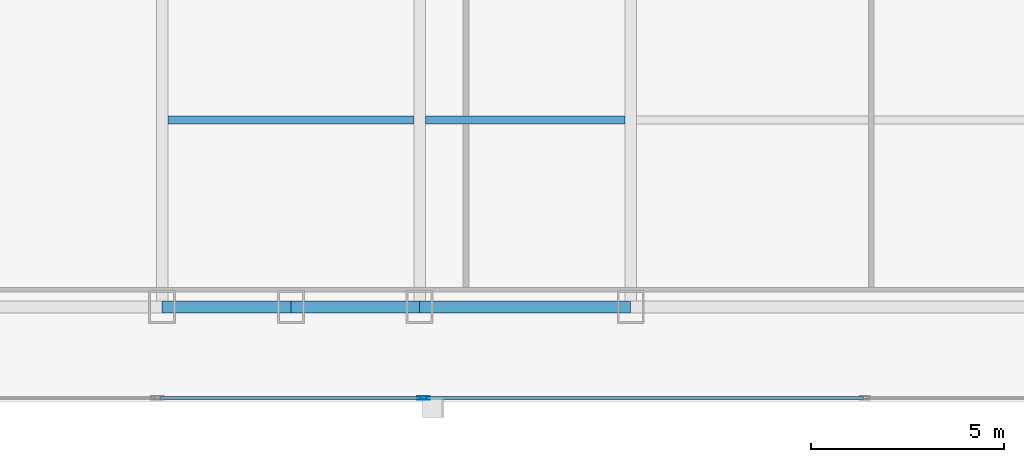
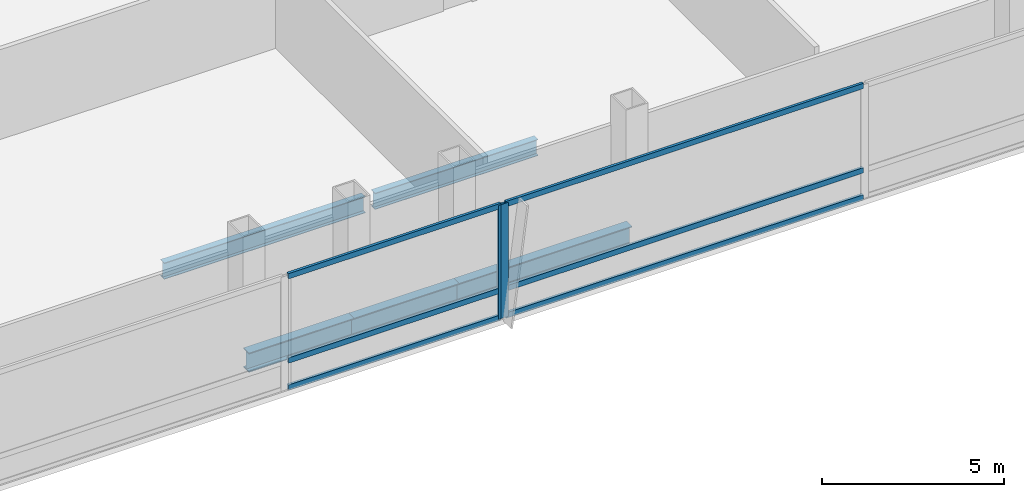
# One storey, part 8 of 30: 8 members, 5 beams, 2 elements without a shape of their own.
"""IFC4 building model written with IfcOpenShell, lengths in metres."""

from ifc_helpers import new_model, si_unit, direction, frame, origin, origin_2d, place, context, subcontext, project, spatial, hollow_rectangle, i_section, extrude, material, material_profile, profile_set, type_object, element, aggregate, save


model = new_model("IFC4")

# Units and contexts
model_context = context("Model", 3, precision=1e-05, world=origin(), true_north=direction((0.0, 1.0)))
body_context = subcontext(model_context, "Body", "Model", "MODEL_VIEW")
ifc_project = project(units=[si_unit("LENGTHUNIT", "METRE"), si_unit("AREAUNIT", "SQUARE_METRE"), si_unit("VOLUMEUNIT", "CUBIC_METRE"), si_unit("PLANEANGLEUNIT", "RADIAN"), si_unit("MASSUNIT", "GRAM", prefix="KILO")], contexts=[model_context])

# Site, building, storey
site_placement = place(None, origin())
site = spatial("IfcSite", under=ifc_project, at=site_placement, CompositionType="ELEMENT")
building_placement = place(site_placement, origin())
building = spatial("IfcBuilding", under=site, at=building_placement, Name="Khoronbel Lancet Exchange", CompositionType="ELEMENT")
storey_placement = place(building_placement, frame((0.0, 0.0, 98.60009765625)))
storey = spatial("IfcBuildingStorey", under=building, at=storey_placement, Name="L23", CompositionType="ELEMENT", Elevation=98.60009765625)

# Beams
ifc_material_1 = material(Name="Steel S355", Category="steel")
ifc_material_profile_1 = material_profile(ifc_material_1, i_section(OverallWidth=0.2099609375, OverallDepth=0.550048828125, WebThickness=0.010986328125, FlangeThickness=0.01708984375, at=origin_2d()), Name="IPE 550")
ifc_profile_set_1 = profile_set([ifc_material_profile_1], Name="Steel S355")
beam_type_1 = type_object("IfcBeamType", Name="BM-BJ2", PredefinedType="JOIST", material=ifc_profile_set_1)
beam_1_placement = place(storey_placement, frame((18.375, 15.0, -0.455078125), z_axis=(1.0, 0.0, 0.0), x_axis=(0.0, 1.0, 0.0)))
element("IfcBeam", 1, at=beam_1_placement, inside=storey, type_object=beam_type_1, Name="Level L23 secondary composite joist J01", PredefinedType="JOIST", context=body_context, shape_type="SweptSolid", body=[
    extrude(i_section(OverallWidth=0.2099609375, OverallDepth=0.550048828125, WebThickness=0.010986328125, FlangeThickness=0.01708984375, at=origin_2d()), origin(), (0.0, 0.0, 1.0), 6.375),
])
beam_2_placement = place(storey_placement, frame((25.050048828125, 15.0, -0.455078125), z_axis=(1.0, 0.0, 0.0), x_axis=(0.0, 1.0, 0.0)))
element("IfcBeam", 2, at=beam_2_placement, inside=storey, type_object=beam_type_1, Name="Level L23 secondary composite joist J02", PredefinedType="JOIST", context=body_context, shape_type="SweptSolid", body=[
    extrude(i_section(OverallWidth=0.2099609375, OverallDepth=0.550048828125, WebThickness=0.010986328125, FlangeThickness=0.01708984375, at=origin_2d()), origin(), (0.0, 0.0, 1.0), 5.175048828125),
])
ifc_material_profile_2 = material_profile(ifc_material_1, i_section(OverallWidth=0.300048828125, OverallDepth=0.64990234375, WebThickness=0.01611328125, FlangeThickness=0.031005859375, at=origin_2d()), Name="HEB 650")
ifc_profile_set_2 = profile_set([ifc_material_profile_2], Name="Steel S355")
beam_type_2 = type_object("IfcBeamType", Name="BM-BSP1", PredefinedType="SPANDREL", material=ifc_profile_set_2)
for number, where, z_axis, x_axis, name in (
    (3, (18.22509765625, 10.14990234375, -0.505126953125), (1.0, 0.0, 0.0), (0.0, 1.0, 0.0), "Level L23 perimeter spandrel beam SP02"),
    (4, (21.5625, 10.14990234375, -0.505126953125), (1.0, 0.0, 0.0), (0.0, 1.0, 0.0), "Level L23 perimeter spandrel beam SP03"),
):
    element("IfcBeam", number, at=place(storey_placement, frame(where, z_axis=z_axis, x_axis=x_axis)), inside=storey, type_object=beam_type_2, Name=name, PredefinedType="SPANDREL", context=body_context, shape_type="SweptSolid", body=[
        extrude(i_section(OverallWidth=0.300048828125, OverallDepth=0.64990234375, WebThickness=0.01611328125, FlangeThickness=0.031005859375, at=origin_2d()), origin(), (0.0, 0.0, 1.0), 3.33740234375),
    ])
beam_3_placement = place(storey_placement, frame((24.89990234375, 10.14990234375, -0.505126953125), z_axis=(1.0, 0.0, 0.0), x_axis=(0.0, 1.0, 0.0)))
element("IfcBeam", 5, at=beam_3_placement, inside=storey, type_object=beam_type_2, Name="Level L23 perimeter spandrel beam SP04", PredefinedType="SPANDREL", context=body_context, shape_type="SweptSolid", body=[
    extrude(i_section(OverallWidth=0.300048828125, OverallDepth=0.64990234375, WebThickness=0.01611328125, FlangeThickness=0.031005859375, at=origin_2d()), origin(), (0.0, 0.0, 1.0), 5.47509765625),
])

# Curtain wall, member
ifc_material_2 = material(Name="Low-E Solar Control Insulating Glass", Category="glass")
curtain_wall_type = type_object("IfcCurtainWallType", Name="CW-2", PredefinedType="NOTDEFINED", material=ifc_material_2)
curtain_wall_1_placement = place(storey_placement, origin())
curtain_wall_1 = element("IfcCurtainWall", 6, at=curtain_wall_1_placement, inside=storey, type_object=curtain_wall_type, Name="Unitised curtain wall CW-L23-SWB", PredefinedType="NOTDEFINED")
ifc_material_3 = material(Name="Bronze-Anodised Aluminium 6063-T6", Category="aluminium")
ifc_material_profile_3 = material_profile(ifc_material_3, hollow_rectangle(XDim=0.0849609375, YDim=0.239990234375, WallThickness=0.006103515625, at=origin_2d()), Name="ALU MULLION 85x240")
ifc_profile_set_3 = profile_set([ifc_material_profile_3], Name="Bronze-Anodised Aluminium 6063-T6")
member_type_1 = type_object("IfcMemberType", Name="MEM-CWM1", PredefinedType="MULLION", material=ifc_profile_set_3)
member_1_placement = place(storey_placement, frame((24.95751953125, 7.7900390625, 0.0), z_axis=(0.0, 0.0, 1.0), x_axis=(0.0, 1.0, 0.0)))
member_1 = element("IfcMember", 7, at=member_1_placement, type_object=member_type_1, Name="CW2 mullion 2", PredefinedType="MULLION", context=body_context, shape_type="SweptSolid", body=[
    extrude(hollow_rectangle(XDim=0.0849609375, YDim=0.239990234375, WallThickness=0.006103515625, at=origin_2d()), origin(), (0.0, 0.0, 1.0), 3.81982421875),
])

curtain_wall_2_placement = place(storey_placement, origin())
curtain_wall_2 = element("IfcCurtainWall", 8, at=curtain_wall_2_placement, inside=storey, type_object=curtain_wall_type, Name="Unitised curtain wall CW-L23-SCV", PredefinedType="NOTDEFINED")
member_2_placement = place(storey_placement, frame((25.04248046875, 7.7900390625, 0.0), z_axis=(0.0, 0.0, 1.0), x_axis=(0.0, 1.0, 0.0)))
member_2 = element("IfcMember", 9, at=member_2_placement, type_object=member_type_1, Name="CW2 mullion 1", PredefinedType="MULLION", context=body_context, shape_type="SweptSolid", body=[
    extrude(hollow_rectangle(XDim=0.0849609375, YDim=0.239990234375, WallThickness=0.006103515625, at=origin_2d()), origin(), (0.0, 0.0, 1.0), 3.81982421875),
])

# Member
ifc_material_profile_4 = material_profile(ifc_material_3, hollow_rectangle(XDim=0.0849609375, YDim=0.179931640625, WallThickness=0.0048828125, at=origin_2d()), Name="ALU TRANSOM 85x180")
ifc_profile_set_4 = profile_set([ifc_material_profile_4], Name="Bronze-Anodised Aluminium 6063-T6")
member_type_2 = type_object("IfcMemberType", Name="MEM-CWT1", PredefinedType="USERDEFINED", material=ifc_profile_set_4)
member_3_placement = place(storey_placement, frame((18.18505859375, 7.7900390625, 0.04248046875), z_axis=(1.0, 0.0, 0.0), x_axis=(0.0, 1.0, 0.0)))
member_3 = element("IfcMember", 10, at=member_3_placement, type_object=member_type_2, Name="CW2 transom 1.1", ObjectType="TRANSOM", PredefinedType="USERDEFINED", context=body_context, shape_type="SweptSolid", body=[
    extrude(hollow_rectangle(XDim=0.0849609375, YDim=0.179931640625, WallThickness=0.0048828125, at=origin_2d()), origin(), (0.0, 0.0, 1.0), 6.72998046875),
])

member_4_placement = place(storey_placement, frame((18.18505859375, 7.7900390625, 0.949951171875), z_axis=(1.0, 0.0, 0.0), x_axis=(0.0, 1.0, 0.0)))
member_4 = element("IfcMember", 11, at=member_4_placement, type_object=member_type_2, Name="CW2 transom 1.2", ObjectType="TRANSOM", PredefinedType="USERDEFINED", context=body_context, shape_type="SweptSolid", body=[
    extrude(hollow_rectangle(XDim=0.0849609375, YDim=0.179931640625, WallThickness=0.0048828125, at=origin_2d()), origin(), (0.0, 0.0, 1.0), 6.72998046875),
])

member_5_placement = place(storey_placement, frame((18.18505859375, 7.7900390625, 3.77734375), z_axis=(1.0, 0.0, 0.0), x_axis=(0.0, 1.0, 0.0)))
member_5 = element("IfcMember", 12, at=member_5_placement, type_object=member_type_2, Name="CW2 transom 1.3", ObjectType="TRANSOM", PredefinedType="USERDEFINED", context=body_context, shape_type="SweptSolid", body=[
    extrude(hollow_rectangle(XDim=0.0849609375, YDim=0.179931640625, WallThickness=0.0048828125, at=origin_2d()), origin(), (0.0, 0.0, 1.0), 6.72998046875),
])

aggregate(curtain_wall_1, [member_1, member_3, member_4, member_5])

member_6_placement = place(storey_placement, frame((25.0849609375, 7.7900390625, 0.04248046875), z_axis=(1.0, 0.0, 0.0), x_axis=(0.0, 1.0, 0.0)))
member_6 = element("IfcMember", 13, at=member_6_placement, type_object=member_type_2, Name="CW2 transom 1.1", ObjectType="TRANSOM", PredefinedType="USERDEFINED", context=body_context, shape_type="SweptSolid", body=[
    extrude(hollow_rectangle(XDim=0.0849609375, YDim=0.179931640625, WallThickness=0.0048828125, at=origin_2d()), origin(), (0.0, 0.0, 1.0), 11.322509765625),
])

member_7_placement = place(storey_placement, frame((25.0849609375, 7.7900390625, 0.949951171875), z_axis=(1.0, 0.0, 0.0), x_axis=(0.0, 1.0, 0.0)))
member_7 = element("IfcMember", 14, at=member_7_placement, type_object=member_type_2, Name="CW2 transom 1.2", ObjectType="TRANSOM", PredefinedType="USERDEFINED", context=body_context, shape_type="SweptSolid", body=[
    extrude(hollow_rectangle(XDim=0.0849609375, YDim=0.179931640625, WallThickness=0.0048828125, at=origin_2d()), origin(), (0.0, 0.0, 1.0), 11.322509765625),
])

member_8_placement = place(storey_placement, frame((25.0849609375, 7.7900390625, 3.77734375), z_axis=(1.0, 0.0, 0.0), x_axis=(0.0, 1.0, 0.0)))
member_8 = element("IfcMember", 15, at=member_8_placement, type_object=member_type_2, Name="CW2 transom 1.3", ObjectType="TRANSOM", PredefinedType="USERDEFINED", context=body_context, shape_type="SweptSolid", body=[
    extrude(hollow_rectangle(XDim=0.0849609375, YDim=0.179931640625, WallThickness=0.0048828125, at=origin_2d()), origin(), (0.0, 0.0, 1.0), 11.322509765625),
])

aggregate(curtain_wall_2, [member_2, member_6, member_7, member_8])

save(model, "model.ifc")
